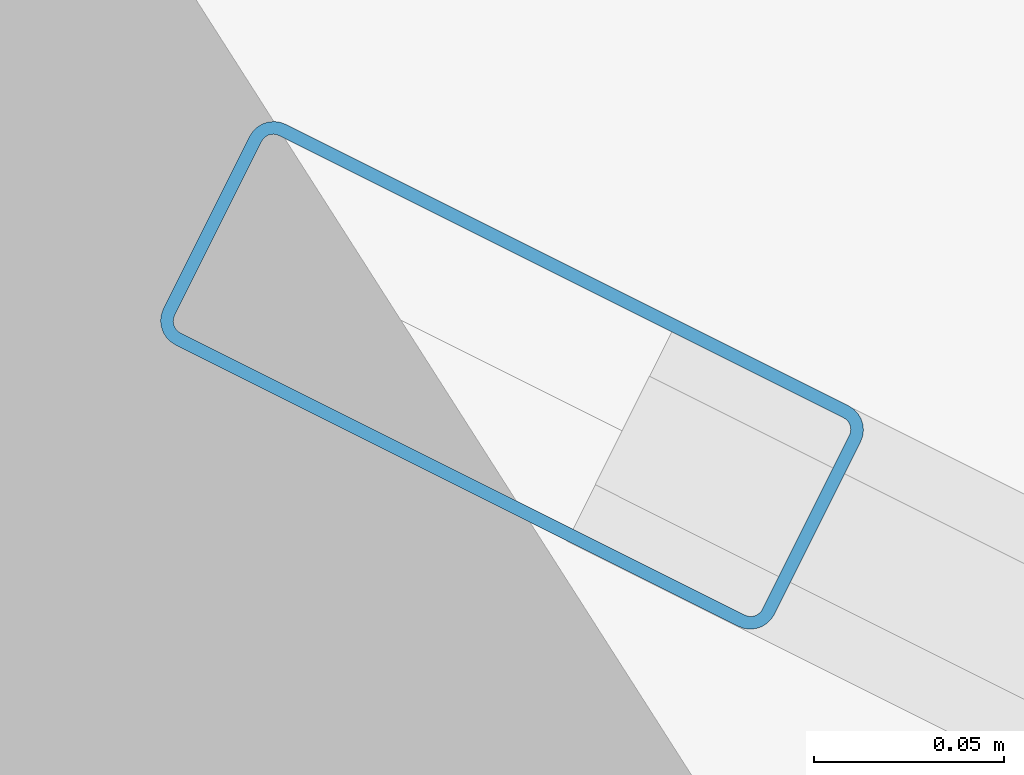
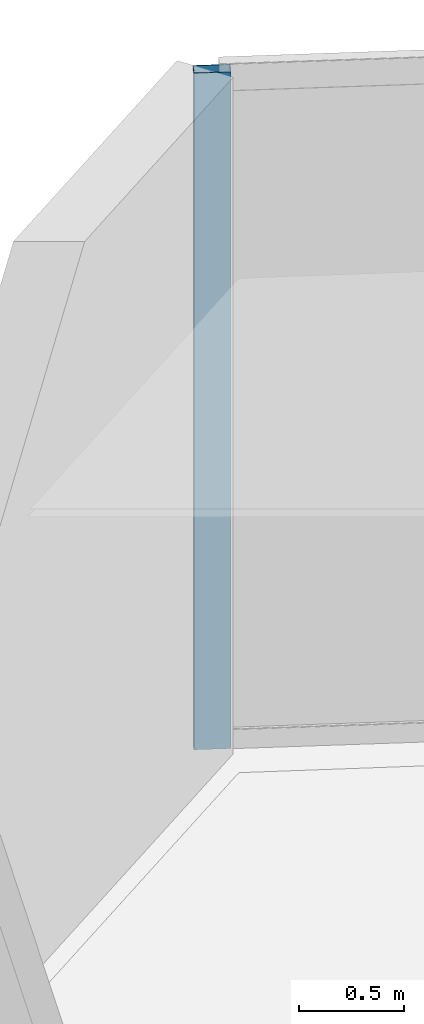
# One storey, part 26 of 44: 1 member, 1 element without a shape of its own.
"""IFC4 building model written with IfcOpenShell, lengths in metres."""

from ifc_helpers import new_model, si_unit, direction, frame, origin, origin_2d, place, context, subcontext, project, spatial, hollow_rectangle, extrude, material, layer, layer_set, material_profile, profile_set, type_object, element, aggregate, save


model = new_model("IFC4")

# Units and contexts
model_context = context("Model", 3, precision=1e-05, world=origin(), true_north=direction((0.0, 1.0)))
body_context = subcontext(model_context, "Body", "Model", "MODEL_VIEW")
ifc_project = project(units=[si_unit("LENGTHUNIT", "METRE"), si_unit("AREAUNIT", "SQUARE_METRE"), si_unit("VOLUMEUNIT", "CUBIC_METRE"), si_unit("PLANEANGLEUNIT", "RADIAN"), si_unit("MASSUNIT", "GRAM", prefix="KILO")], contexts=[model_context])

# Site, building, storey
site_placement = place(None, origin())
site = spatial("IfcSite", under=ifc_project, at=site_placement, CompositionType="ELEMENT")
building_placement = place(site_placement, origin())
building = spatial("IfcBuilding", under=site, at=building_placement, Name="Qorvath Tower", CompositionType="ELEMENT")
storey_placement = place(building_placement, frame((0.0, 0.0, 70.199951171875)))
storey = spatial("IfcBuildingStorey", under=building, at=storey_placement, Name="L15", CompositionType="ELEMENT", Elevation=70.199951171875)

# Curtain wall, member
ifc_material_1 = material(Name="Anodised aluminium and triple low-E glass", Category="aluminium")
ifc_layer = layer(ifc_material_1, 0.179931640625)
ifc_layer_set = layer_set([ifc_layer], Name="CW-SYS-2")
curtain_wall_type = type_object("IfcCurtainWallType", Name="CW-SYS-2", PredefinedType="NOTDEFINED", material=ifc_layer_set)
curtain_wall_placement = place(storey_placement, origin())
curtain_wall = element("IfcCurtainWall", 1, at=curtain_wall_placement, inside=storey, type_object=curtain_wall_type, Name="Curtain Wall CW-2 CW-T-L15-15.1", PredefinedType="NOTDEFINED")
ifc_material_2 = material(Name="Anodised aluminium 6063-T6", Category="aluminium")
ifc_material_profile = material_profile(ifc_material_2, hollow_rectangle(XDim=0.06494140625, YDim=0.179931640625, WallThickness=0.00341796875, InnerFilletRadius=0.00341796875, OuterFilletRadius=0.007080078125, at=origin_2d()), Name="CWM 180x65")
ifc_profile_set = profile_set([ifc_material_profile], Name="Anodised aluminium 6063-T6")
member_type = type_object("IfcMemberType", Name="CWM-180", PredefinedType="MULLION", material=ifc_profile_set)
member_placement = place(storey_placement, frame((-15.1259765625, 32.520751953125, 0.0), z_axis=(0.0, 0.0, 1.0), x_axis=(-0.447221292931, -0.894423342243, 0.0)))
member = element("IfcMember", 2, at=member_placement, type_object=member_type, Name="CW-2 mullion 2", PredefinedType="MULLION", context=body_context, shape_type="SweptSolid", body=[
    extrude(hollow_rectangle(XDim=0.06494140625, YDim=0.179931640625, WallThickness=0.00341796875, InnerFilletRadius=0.00341796875, OuterFilletRadius=0.007080078125, at=origin_2d()), origin(), (0.0, 0.0, 1.0), 3.920166015625),
])
aggregate(curtain_wall, [member])

save(model, "model.ifc")
